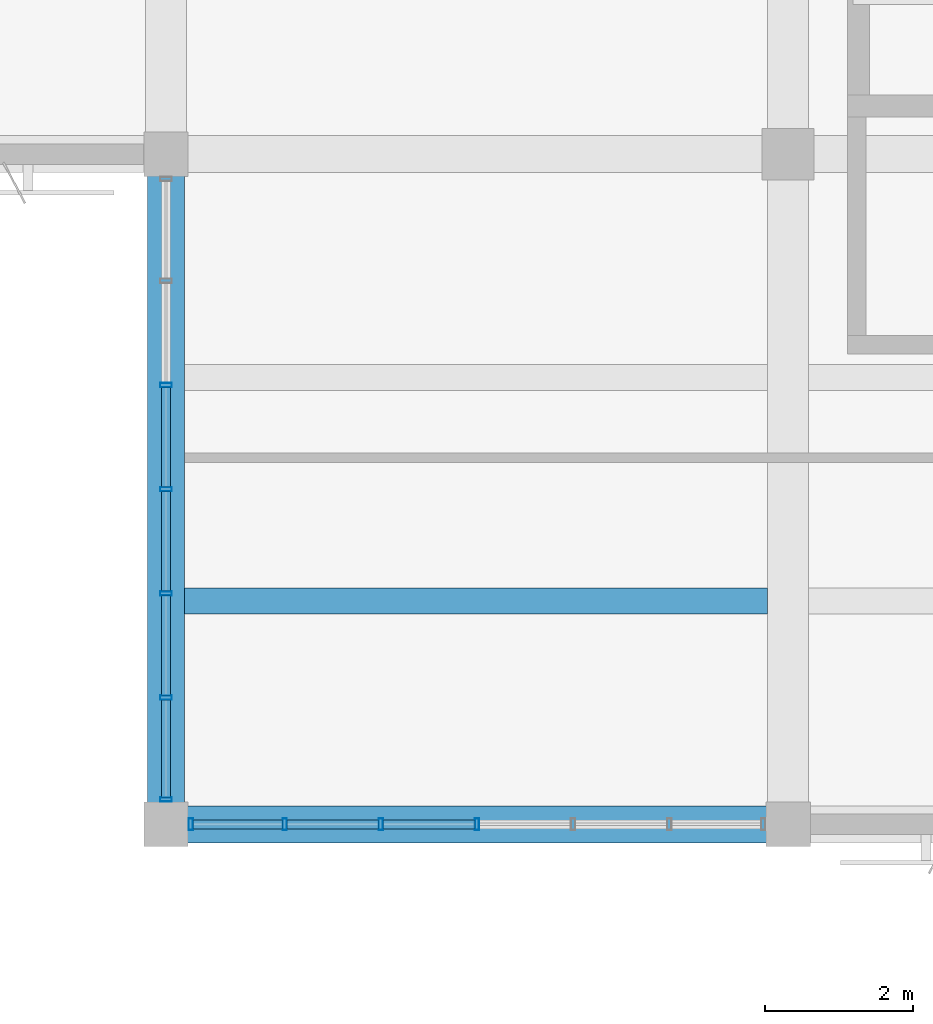
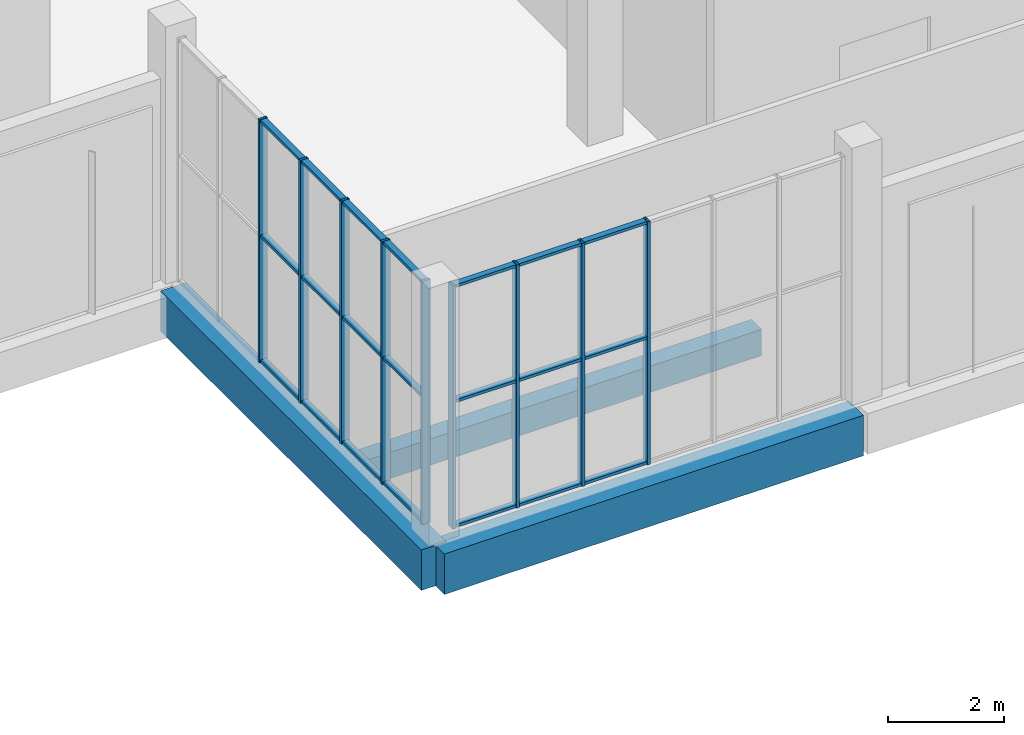
# One storey, part 59 of 132: 30 members, 3 beams, 2 elements without a shape of their own.
"""IFC4 building model written with IfcOpenShell, lengths in metres."""

from ifc_helpers import new_model, si_unit, direction, frame, origin, origin_2d, place, context, subcontext, project, spatial, rectangle, hollow_rectangle, extrude, material, material_profile, profile_set, type_object, element, aggregate, save


model = new_model("IFC4")

# Units and contexts
model_context = context("Model", 3, precision=1e-05, world=origin(), true_north=direction((0.0, 1.0)))
body_context = subcontext(model_context, "Body", "Model", "MODEL_VIEW")
ifc_project = project(units=[si_unit("LENGTHUNIT", "METRE"), si_unit("AREAUNIT", "SQUARE_METRE"), si_unit("VOLUMEUNIT", "CUBIC_METRE"), si_unit("PLANEANGLEUNIT", "RADIAN"), si_unit("MASSUNIT", "GRAM", prefix="KILO")], contexts=[model_context])

# Site, building, storey
site_placement = place(None, origin())
site = spatial("IfcSite", under=ifc_project, at=site_placement, CompositionType="ELEMENT")
building_placement = place(site_placement, origin())
building = spatial("IfcBuilding", under=site, at=building_placement, Name="Khurvash Pelagic Aquarium", CompositionType="ELEMENT")
storey_placement = place(building_placement, frame((0.0, 0.0, 5.39990234375)))
storey = spatial("IfcBuildingStorey", under=building, at=storey_placement, Name="L01", CompositionType="ELEMENT", Elevation=5.39990234375)

# Curtain wall, members
ifc_material_1 = material(Name="Anodised aluminium and low-E laminated glass", Category="aluminium")
curtain_wall_type_1 = type_object("IfcCurtainWallType", Name="CW-06", PredefinedType="USERDEFINED", material=ifc_material_1)
curtain_wall_1_placement = place(storey_placement, origin())
curtain_wall_1 = element("IfcCurtainWall", 1, at=curtain_wall_1_placement, inside=storey, type_object=curtain_wall_type_1, Name="L01 Facade Unitised Curtain Wall CW-06 0136", ObjectType="UNITISED CURTAIN WALL", PredefinedType="USERDEFINED")
ifc_material_2 = material(Name="Extruded aluminium AW-6063-T6", Category="aluminium")
ifc_material_profile_1 = material_profile(ifc_material_2, hollow_rectangle(XDim=0.06005859375, YDim=0.159912109375, WallThickness=0.00390625, at=origin_2d()), Name="CWM60X160X4")
ifc_profile_set_1 = profile_set([ifc_material_profile_1], Name="Extruded aluminium AW-6063-T6")
member_type_1 = type_object("IfcMemberType", Name="CM-02", PredefinedType="MULLION", material=ifc_profile_set_1)
member_1_placement = place(storey_placement, frame((58.800048828125, 89.981689453125, 0.0), z_axis=(0.0, 0.0, 1.0), x_axis=(0.0, -1.0, 0.0)))
member_1 = element("IfcMember", 2, at=member_1_placement, type_object=member_type_1, Name="CW-06 mullion 3", PredefinedType="MULLION", context=body_context, shape_type="SweptSolid", body=[
    extrude(hollow_rectangle(XDim=0.06005859375, YDim=0.159912109375, WallThickness=0.00390625, at=origin_2d()), origin(), (0.0, 0.0, 1.0), 5.10009765625),
])
member_2_placement = place(storey_placement, frame((58.800048828125, 88.574951171875, 0.0), z_axis=(0.0, 0.0, 1.0), x_axis=(0.0, -1.0, 0.0)))
member_2 = element("IfcMember", 3, at=member_2_placement, type_object=member_type_1, Name="CW-06 mullion 4", PredefinedType="MULLION", context=body_context, shape_type="SweptSolid", body=[
    extrude(hollow_rectangle(XDim=0.06005859375, YDim=0.159912109375, WallThickness=0.00390625, at=origin_2d()), origin(), (0.0, 0.0, 1.0), 5.10009765625),
])
member_3_placement = place(storey_placement, frame((58.800048828125, 87.168212890625, 0.0), z_axis=(0.0, 0.0, 1.0), x_axis=(0.0, -1.0, 0.0)))
member_3 = element("IfcMember", 4, at=member_3_placement, type_object=member_type_1, Name="CW-06 mullion 5", PredefinedType="MULLION", context=body_context, shape_type="SweptSolid", body=[
    extrude(hollow_rectangle(XDim=0.06005859375, YDim=0.159912109375, WallThickness=0.00390625, at=origin_2d()), origin(), (0.0, 0.0, 1.0), 5.10009765625),
])
member_4_placement = place(storey_placement, frame((58.800048828125, 85.76171875, 0.0), z_axis=(0.0, 0.0, 1.0), x_axis=(0.0, -1.0, 0.0)))
member_4 = element("IfcMember", 5, at=member_4_placement, type_object=member_type_1, Name="CW-06 mullion 6", PredefinedType="MULLION", context=body_context, shape_type="SweptSolid", body=[
    extrude(hollow_rectangle(XDim=0.06005859375, YDim=0.159912109375, WallThickness=0.00390625, at=origin_2d()), origin(), (0.0, 0.0, 1.0), 5.10009765625),
])
member_5_placement = place(storey_placement, frame((58.800048828125, 84.385009765625, 0.0), z_axis=(0.0, 0.0, 1.0), x_axis=(0.0, -1.0, 0.0)))
member_5 = element("IfcMember", 6, at=member_5_placement, type_object=member_type_1, Name="CW-06 mullion 7", PredefinedType="MULLION", context=body_context, shape_type="SweptSolid", body=[
    extrude(hollow_rectangle(XDim=0.06005859375, YDim=0.159912109375, WallThickness=0.00390625, at=origin_2d()), origin(), (0.0, 0.0, 1.0), 5.10009765625),
])

curtain_wall_type_2 = type_object("IfcCurtainWallType", Name="CW-05", PredefinedType="USERDEFINED", material=ifc_material_1)
curtain_wall_2_placement = place(storey_placement, origin())
curtain_wall_2 = element("IfcCurtainWall", 7, at=curtain_wall_2_placement, inside=storey, type_object=curtain_wall_type_2, Name="L01 Facade Unitised Curtain Wall CW-05 0137", ObjectType="UNITISED CURTAIN WALL", PredefinedType="USERDEFINED")
member_6_placement = place(storey_placement, frame((59.135009765625, 84.050048828125, 0.0), z_axis=(0.0, 0.0, 1.0), x_axis=(1.0, 0.0, 0.0)))
member_6 = element("IfcMember", 8, at=member_6_placement, type_object=member_type_1, Name="CW-05 mullion 1", PredefinedType="MULLION", context=body_context, shape_type="SweptSolid", body=[
    extrude(hollow_rectangle(XDim=0.06005859375, YDim=0.159912109375, WallThickness=0.00390625, at=origin_2d()), origin(), (0.0, 0.0, 1.0), 5.10009765625),
])
member_7_placement = place(storey_placement, frame((60.4033203125, 84.050048828125, 0.0), z_axis=(0.0, 0.0, 1.0), x_axis=(1.0, 0.0, 0.0)))
member_7 = element("IfcMember", 9, at=member_7_placement, type_object=member_type_1, Name="CW-05 mullion 2", PredefinedType="MULLION", context=body_context, shape_type="SweptSolid", body=[
    extrude(hollow_rectangle(XDim=0.06005859375, YDim=0.159912109375, WallThickness=0.00390625, at=origin_2d()), origin(), (0.0, 0.0, 1.0), 5.10009765625),
])
member_8_placement = place(storey_placement, frame((61.70166015625, 84.050048828125, 0.0), z_axis=(0.0, 0.0, 1.0), x_axis=(1.0, 0.0, 0.0)))
member_8 = element("IfcMember", 10, at=member_8_placement, type_object=member_type_1, Name="CW-05 mullion 3", PredefinedType="MULLION", context=body_context, shape_type="SweptSolid", body=[
    extrude(hollow_rectangle(XDim=0.06005859375, YDim=0.159912109375, WallThickness=0.00390625, at=origin_2d()), origin(), (0.0, 0.0, 1.0), 5.10009765625),
])
member_9_placement = place(storey_placement, frame((63.0, 84.050048828125, 0.0), z_axis=(0.0, 0.0, 1.0), x_axis=(1.0, 0.0, 0.0)))
member_9 = element("IfcMember", 11, at=member_9_placement, type_object=member_type_1, Name="CW-05 mullion 4", PredefinedType="MULLION", context=body_context, shape_type="SweptSolid", body=[
    extrude(hollow_rectangle(XDim=0.06005859375, YDim=0.159912109375, WallThickness=0.00390625, at=origin_2d()), origin(), (0.0, 0.0, 1.0), 5.10009765625),
])

# Member
ifc_material_profile_2 = material_profile(ifc_material_2, hollow_rectangle(XDim=0.1201171875, YDim=0.06005859375, WallThickness=0.00390625, at=origin_2d()), Name="CWT120X60X4")
ifc_profile_set_2 = profile_set([ifc_material_profile_2], Name="Extruded aluminium AW-6063-T6")
member_type_2 = type_object("IfcMemberType", Name="CT-02", PredefinedType="USERDEFINED", material=ifc_profile_set_2)
member_10_placement = place(storey_placement, frame((58.800048828125, 89.95166015625, 0.030029296875), z_axis=(0.0, -1.0, 0.0), x_axis=(1.0, 0.0, 0.0)))
member_10 = element("IfcMember", 12, at=member_10_placement, type_object=member_type_2, Name="CW-06 transom 3.1", ObjectType="TRANSOM", PredefinedType="USERDEFINED", context=body_context, shape_type="SweptSolid", body=[
    extrude(hollow_rectangle(XDim=0.1201171875, YDim=0.06005859375, WallThickness=0.00390625, at=origin_2d()), origin(), (0.0, 0.0, 1.0), 1.3466796875),
])

member_11_placement = place(storey_placement, frame((58.800048828125, 89.95166015625, 2.652099609375), z_axis=(0.0, -1.0, 0.0), x_axis=(1.0, 0.0, 0.0)))
member_11 = element("IfcMember", 13, at=member_11_placement, type_object=member_type_2, Name="CW-06 transom 3.2", ObjectType="TRANSOM", PredefinedType="USERDEFINED", context=body_context, shape_type="SweptSolid", body=[
    extrude(hollow_rectangle(XDim=0.1201171875, YDim=0.06005859375, WallThickness=0.00390625, at=origin_2d()), origin(), (0.0, 0.0, 1.0), 1.3466796875),
])

member_12_placement = place(storey_placement, frame((58.800048828125, 89.95166015625, 5.070068359375), z_axis=(0.0, -1.0, 0.0), x_axis=(1.0, 0.0, 0.0)))
member_12 = element("IfcMember", 14, at=member_12_placement, type_object=member_type_2, Name="CW-06 transom 3.3", ObjectType="TRANSOM", PredefinedType="USERDEFINED", context=body_context, shape_type="SweptSolid", body=[
    extrude(hollow_rectangle(XDim=0.1201171875, YDim=0.06005859375, WallThickness=0.00390625, at=origin_2d()), origin(), (0.0, 0.0, 1.0), 1.3466796875),
])

member_13_placement = place(storey_placement, frame((58.800048828125, 88.544921875, 0.030029296875), z_axis=(0.0, -1.0, 0.0), x_axis=(1.0, 0.0, 0.0)))
member_13 = element("IfcMember", 15, at=member_13_placement, type_object=member_type_2, Name="CW-06 transom 4.1", ObjectType="TRANSOM", PredefinedType="USERDEFINED", context=body_context, shape_type="SweptSolid", body=[
    extrude(hollow_rectangle(XDim=0.1201171875, YDim=0.06005859375, WallThickness=0.00390625, at=origin_2d()), origin(), (0.0, 0.0, 1.0), 1.3466796875),
])

member_14_placement = place(storey_placement, frame((58.800048828125, 88.544921875, 2.652099609375), z_axis=(0.0, -1.0, 0.0), x_axis=(1.0, 0.0, 0.0)))
member_14 = element("IfcMember", 16, at=member_14_placement, type_object=member_type_2, Name="CW-06 transom 4.2", ObjectType="TRANSOM", PredefinedType="USERDEFINED", context=body_context, shape_type="SweptSolid", body=[
    extrude(hollow_rectangle(XDim=0.1201171875, YDim=0.06005859375, WallThickness=0.00390625, at=origin_2d()), origin(), (0.0, 0.0, 1.0), 1.3466796875),
])

member_15_placement = place(storey_placement, frame((58.800048828125, 88.544921875, 5.070068359375), z_axis=(0.0, -1.0, 0.0), x_axis=(1.0, 0.0, 0.0)))
member_15 = element("IfcMember", 17, at=member_15_placement, type_object=member_type_2, Name="CW-06 transom 4.3", ObjectType="TRANSOM", PredefinedType="USERDEFINED", context=body_context, shape_type="SweptSolid", body=[
    extrude(hollow_rectangle(XDim=0.1201171875, YDim=0.06005859375, WallThickness=0.00390625, at=origin_2d()), origin(), (0.0, 0.0, 1.0), 1.3466796875),
])

member_16_placement = place(storey_placement, frame((58.800048828125, 87.138427734375, 0.030029296875), z_axis=(0.0, -1.0, 0.0), x_axis=(1.0, 0.0, 0.0)))
member_16 = element("IfcMember", 18, at=member_16_placement, type_object=member_type_2, Name="CW-06 transom 5.1", ObjectType="TRANSOM", PredefinedType="USERDEFINED", context=body_context, shape_type="SweptSolid", body=[
    extrude(hollow_rectangle(XDim=0.1201171875, YDim=0.06005859375, WallThickness=0.00390625, at=origin_2d()), origin(), (0.0, 0.0, 1.0), 1.3466796875),
])

member_17_placement = place(storey_placement, frame((58.800048828125, 87.138427734375, 2.652099609375), z_axis=(0.0, -1.0, 0.0), x_axis=(1.0, 0.0, 0.0)))
member_17 = element("IfcMember", 19, at=member_17_placement, type_object=member_type_2, Name="CW-06 transom 5.2", ObjectType="TRANSOM", PredefinedType="USERDEFINED", context=body_context, shape_type="SweptSolid", body=[
    extrude(hollow_rectangle(XDim=0.1201171875, YDim=0.06005859375, WallThickness=0.00390625, at=origin_2d()), origin(), (0.0, 0.0, 1.0), 1.3466796875),
])

member_18_placement = place(storey_placement, frame((58.800048828125, 87.138427734375, 5.070068359375), z_axis=(0.0, -1.0, 0.0), x_axis=(1.0, 0.0, 0.0)))
member_18 = element("IfcMember", 20, at=member_18_placement, type_object=member_type_2, Name="CW-06 transom 5.3", ObjectType="TRANSOM", PredefinedType="USERDEFINED", context=body_context, shape_type="SweptSolid", body=[
    extrude(hollow_rectangle(XDim=0.1201171875, YDim=0.06005859375, WallThickness=0.00390625, at=origin_2d()), origin(), (0.0, 0.0, 1.0), 1.3466796875),
])

member_19_placement = place(storey_placement, frame((58.800048828125, 85.731689453125, 0.030029296875), z_axis=(0.0, -1.0, 0.0), x_axis=(1.0, 0.0, 0.0)))
member_19 = element("IfcMember", 21, at=member_19_placement, type_object=member_type_2, Name="CW-06 transom 6.1", ObjectType="TRANSOM", PredefinedType="USERDEFINED", context=body_context, shape_type="SweptSolid", body=[
    extrude(hollow_rectangle(XDim=0.1201171875, YDim=0.06005859375, WallThickness=0.00390625, at=origin_2d()), origin(), (0.0, 0.0, 1.0), 1.316650390625),
])

member_20_placement = place(storey_placement, frame((58.800048828125, 85.731689453125, 2.652099609375), z_axis=(0.0, -1.0, 0.0), x_axis=(1.0, 0.0, 0.0)))
member_20 = element("IfcMember", 22, at=member_20_placement, type_object=member_type_2, Name="CW-06 transom 6.2", ObjectType="TRANSOM", PredefinedType="USERDEFINED", context=body_context, shape_type="SweptSolid", body=[
    extrude(hollow_rectangle(XDim=0.1201171875, YDim=0.06005859375, WallThickness=0.00390625, at=origin_2d()), origin(), (0.0, 0.0, 1.0), 1.316650390625),
])

member_21_placement = place(storey_placement, frame((58.800048828125, 85.731689453125, 5.070068359375), z_axis=(0.0, -1.0, 0.0), x_axis=(1.0, 0.0, 0.0)))
member_21 = element("IfcMember", 23, at=member_21_placement, type_object=member_type_2, Name="CW-06 transom 6.3", ObjectType="TRANSOM", PredefinedType="USERDEFINED", context=body_context, shape_type="SweptSolid", body=[
    extrude(hollow_rectangle(XDim=0.1201171875, YDim=0.06005859375, WallThickness=0.00390625, at=origin_2d()), origin(), (0.0, 0.0, 1.0), 1.316650390625),
])

aggregate(curtain_wall_1, [member_1, member_2, member_3, member_4, member_5, member_10, member_11, member_12, member_13, member_14, member_15, member_16, member_17, member_18, member_19, member_20, member_21])

member_22_placement = place(storey_placement, frame((59.1650390625, 84.050048828125, 0.030029296875), z_axis=(1.0, 0.0, 0.0), x_axis=(0.0, 1.0, 0.0)))
member_22 = element("IfcMember", 24, at=member_22_placement, type_object=member_type_2, Name="CW-05 transom 1.1", ObjectType="TRANSOM", PredefinedType="USERDEFINED", context=body_context, shape_type="SweptSolid", body=[
    extrude(hollow_rectangle(XDim=0.1201171875, YDim=0.06005859375, WallThickness=0.00390625, at=origin_2d()), origin(), (0.0, 0.0, 1.0), 1.208251953125),
])

member_23_placement = place(storey_placement, frame((59.1650390625, 84.050048828125, 2.652099609375), z_axis=(1.0, 0.0, 0.0), x_axis=(0.0, 1.0, 0.0)))
member_23 = element("IfcMember", 25, at=member_23_placement, type_object=member_type_2, Name="CW-05 transom 1.2", ObjectType="TRANSOM", PredefinedType="USERDEFINED", context=body_context, shape_type="SweptSolid", body=[
    extrude(hollow_rectangle(XDim=0.1201171875, YDim=0.06005859375, WallThickness=0.00390625, at=origin_2d()), origin(), (0.0, 0.0, 1.0), 1.208251953125),
])

member_24_placement = place(storey_placement, frame((59.1650390625, 84.050048828125, 5.070068359375), z_axis=(1.0, 0.0, 0.0), x_axis=(0.0, 1.0, 0.0)))
member_24 = element("IfcMember", 26, at=member_24_placement, type_object=member_type_2, Name="CW-05 transom 1.3", ObjectType="TRANSOM", PredefinedType="USERDEFINED", context=body_context, shape_type="SweptSolid", body=[
    extrude(hollow_rectangle(XDim=0.1201171875, YDim=0.06005859375, WallThickness=0.00390625, at=origin_2d()), origin(), (0.0, 0.0, 1.0), 1.208251953125),
])

member_25_placement = place(storey_placement, frame((60.433349609375, 84.050048828125, 0.030029296875), z_axis=(1.0, 0.0, 0.0), x_axis=(0.0, 1.0, 0.0)))
member_25 = element("IfcMember", 27, at=member_25_placement, type_object=member_type_2, Name="CW-05 transom 2.1", ObjectType="TRANSOM", PredefinedType="USERDEFINED", context=body_context, shape_type="SweptSolid", body=[
    extrude(hollow_rectangle(XDim=0.1201171875, YDim=0.06005859375, WallThickness=0.00390625, at=origin_2d()), origin(), (0.0, 0.0, 1.0), 1.23828125),
])

member_26_placement = place(storey_placement, frame((60.433349609375, 84.050048828125, 2.652099609375), z_axis=(1.0, 0.0, 0.0), x_axis=(0.0, 1.0, 0.0)))
member_26 = element("IfcMember", 28, at=member_26_placement, type_object=member_type_2, Name="CW-05 transom 2.2", ObjectType="TRANSOM", PredefinedType="USERDEFINED", context=body_context, shape_type="SweptSolid", body=[
    extrude(hollow_rectangle(XDim=0.1201171875, YDim=0.06005859375, WallThickness=0.00390625, at=origin_2d()), origin(), (0.0, 0.0, 1.0), 1.23828125),
])

member_27_placement = place(storey_placement, frame((60.433349609375, 84.050048828125, 5.070068359375), z_axis=(1.0, 0.0, 0.0), x_axis=(0.0, 1.0, 0.0)))
member_27 = element("IfcMember", 29, at=member_27_placement, type_object=member_type_2, Name="CW-05 transom 2.3", ObjectType="TRANSOM", PredefinedType="USERDEFINED", context=body_context, shape_type="SweptSolid", body=[
    extrude(hollow_rectangle(XDim=0.1201171875, YDim=0.06005859375, WallThickness=0.00390625, at=origin_2d()), origin(), (0.0, 0.0, 1.0), 1.23828125),
])

member_28_placement = place(storey_placement, frame((61.731689453125, 84.050048828125, 0.030029296875), z_axis=(1.0, 0.0, 0.0), x_axis=(0.0, 1.0, 0.0)))
member_28 = element("IfcMember", 30, at=member_28_placement, type_object=member_type_2, Name="CW-05 transom 3.1", ObjectType="TRANSOM", PredefinedType="USERDEFINED", context=body_context, shape_type="SweptSolid", body=[
    extrude(hollow_rectangle(XDim=0.1201171875, YDim=0.06005859375, WallThickness=0.00390625, at=origin_2d()), origin(), (0.0, 0.0, 1.0), 1.23828125),
])

member_29_placement = place(storey_placement, frame((61.731689453125, 84.050048828125, 2.652099609375), z_axis=(1.0, 0.0, 0.0), x_axis=(0.0, 1.0, 0.0)))
member_29 = element("IfcMember", 31, at=member_29_placement, type_object=member_type_2, Name="CW-05 transom 3.2", ObjectType="TRANSOM", PredefinedType="USERDEFINED", context=body_context, shape_type="SweptSolid", body=[
    extrude(hollow_rectangle(XDim=0.1201171875, YDim=0.06005859375, WallThickness=0.00390625, at=origin_2d()), origin(), (0.0, 0.0, 1.0), 1.23828125),
])

member_30_placement = place(storey_placement, frame((61.731689453125, 84.050048828125, 5.070068359375), z_axis=(1.0, 0.0, 0.0), x_axis=(0.0, 1.0, 0.0)))
member_30 = element("IfcMember", 32, at=member_30_placement, type_object=member_type_2, Name="CW-05 transom 3.3", ObjectType="TRANSOM", PredefinedType="USERDEFINED", context=body_context, shape_type="SweptSolid", body=[
    extrude(hollow_rectangle(XDim=0.1201171875, YDim=0.06005859375, WallThickness=0.00390625, at=origin_2d()), origin(), (0.0, 0.0, 1.0), 1.23828125),
])

aggregate(curtain_wall_2, [member_6, member_7, member_8, member_9, member_22, member_23, member_24, member_25, member_26, member_27, member_28, member_29, member_30])

# Beams
ifc_material_3 = material(Name="Concrete C35/45", Category="concrete")
ifc_material_profile_3 = material_profile(ifc_material_3, rectangle(XDim=0.35009765625, YDim=0.550048828125, at=origin_2d()), Name="RC350X550")
ifc_profile_set_3 = profile_set([ifc_material_profile_3], Name="Concrete C35/45")
beam_type_1 = type_object("IfcBeamType", Name="JS-01", PredefinedType="JOIST", material=ifc_profile_set_3)
beam_1_placement = place(storey_placement, frame((59.050048828125, 87.06689453125, -0.5849609375), z_axis=(1.0, 0.0, 0.0), x_axis=(0.0, 1.0, 0.0)))
element("IfcBeam", 33, at=beam_1_placement, inside=storey, type_object=beam_type_1, Name="L01 Floor Joist JS-01 00504", PredefinedType="JOIST", context=body_context, shape_type="SweptSolid", body=[
    extrude(rectangle(XDim=0.35009765625, YDim=0.550048828125, at=origin_2d()), origin(), (0.0, 0.0, 1.0), 7.875),
])
ifc_material_4 = material(Name="Concrete C40/50", Category="concrete")
ifc_material_profile_4 = material_profile(ifc_material_4, rectangle(XDim=0.5, YDim=0.85009765625, at=origin_2d()), Name="RC500X850")
ifc_profile_set_4 = profile_set([ifc_material_profile_4], Name="Concrete C40/50")
beam_type_2 = type_object("IfcBeamType", Name="SEB-03", PredefinedType="SPANDREL", material=ifc_profile_set_4)
beam_2_placement = place(storey_placement, frame((58.840087890625, 84.050048828125, -0.744873046875), z_axis=(1.0, 0.0, 0.0), x_axis=(0.0, 1.0, 0.0)))
element("IfcBeam", 34, at=beam_2_placement, inside=storey, type_object=beam_type_2, Name="L01 Primary Girder SEB-03 00310", PredefinedType="SPANDREL", context=body_context, shape_type="SweptSolid", body=[
    extrude(rectangle(XDim=0.5, YDim=0.85009765625, at=origin_2d()), origin(), (0.0, 0.0, 1.0), 8.31982421875),
])
beam_3_placement = place(storey_placement, frame((58.800048828125, 84.090087890625, -0.73486328125), z_axis=(0.0, 1.0, 0.0), x_axis=(-1.0, 0.0, 0.0)))
element("IfcBeam", 35, at=beam_3_placement, inside=storey, type_object=beam_type_2, Name="L01 Primary Girder SEB-03 00391", PredefinedType="SPANDREL", context=body_context, shape_type="SweptSolid", body=[
    extrude(rectangle(XDim=0.5, YDim=0.85009765625, at=origin_2d()), origin(), (0.0, 0.0, 1.0), 8.969970703125),
])

save(model, "model.ifc")
